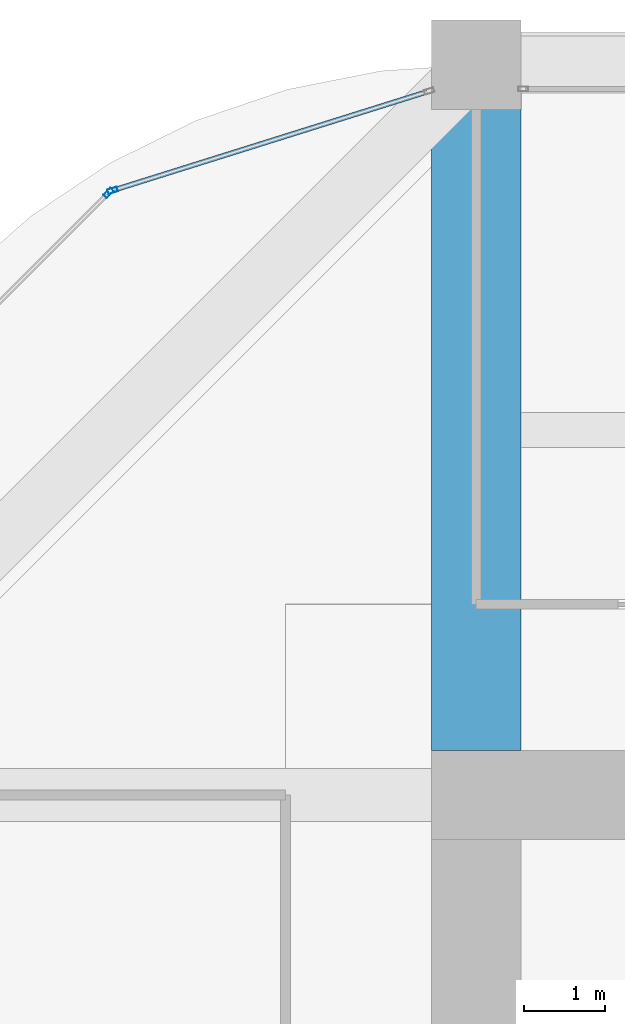
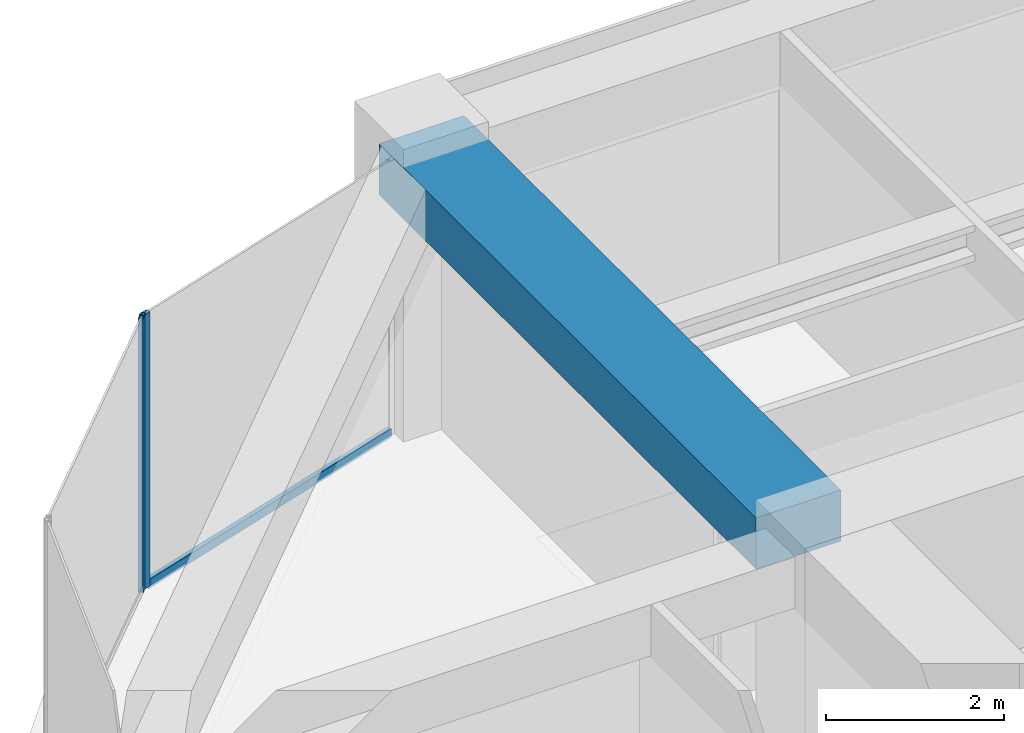
# One storey, part 30 of 44: 3 members, 1 beam, 2 elements without a shape of their own.
"""IFC4 building model written with IfcOpenShell, lengths in metres."""

from ifc_helpers import new_model, si_unit, direction, frame, origin, origin_2d, place, context, subcontext, project, spatial, rectangle, hollow_rectangle, extrude, material, material_profile, profile_set, type_object, element, aggregate, save


model = new_model("IFC4")

# Units and contexts
model_context = context("Model", 3, precision=1e-05, world=origin(), true_north=direction((0.0, 1.0)))
body_context = subcontext(model_context, "Body", "Model", "MODEL_VIEW")
ifc_project = project(units=[si_unit("LENGTHUNIT", "METRE"), si_unit("AREAUNIT", "SQUARE_METRE"), si_unit("VOLUMEUNIT", "CUBIC_METRE"), si_unit("PLANEANGLEUNIT", "RADIAN"), si_unit("MASSUNIT", "GRAM", prefix="KILO")], contexts=[model_context])

# Site, building, storey
site_placement = place(None, origin())
site = spatial("IfcSite", under=ifc_project, at=site_placement, CompositionType="ELEMENT")
building_placement = place(site_placement, origin())
building = spatial("IfcBuilding", under=site, at=building_placement, Name="Zorevar Civic Tower", CompositionType="ELEMENT")
storey_placement = place(building_placement, frame((0.0, 0.0, 283.39990234375)))
storey = spatial("IfcBuildingStorey", under=building, at=storey_placement, Name="L69", CompositionType="ELEMENT", Elevation=283.39990234375)

# Beam
ifc_material_1 = material(Name="Concrete C50/60", Category="concrete")
ifc_material_profile_1 = material_profile(ifc_material_1, rectangle(XDim=1.10009765625, YDim=0.699951171875, at=origin_2d()), Name="RC 1100x700")
ifc_profile_set_1 = profile_set([ifc_material_profile_1], Name="Concrete C50/60")
beam_type = type_object("IfcBeamType", Name="Beam RC 1100x700", PredefinedType="BEAM", material=ifc_profile_set_1)
beam_placement = place(storey_placement, frame((18.0, 36.550048828125, 3.400146484375), z_axis=(0.0, 1.0, 0.0), x_axis=(-1.0, 0.0, 0.0)))
element("IfcBeam", 1, at=beam_placement, inside=storey, type_object=beam_type, Name="Girder L70", PredefinedType="BEAM", context=body_context, shape_type="SweptSolid", body=[
    extrude(rectangle(XDim=1.10009765625, YDim=0.699951171875, at=origin_2d()), origin(), (0.0, 0.0, 1.0), 8.449951171875),
])

# Curtain wall, member
ifc_material_2 = material(Name="Dark grey solar-control glass in black aluminium frame", Category="aluminium")
curtain_wall_type = type_object("IfcCurtainWallType", Name="Curtain wall CW5 top zone", PredefinedType="NOTDEFINED", material=ifc_material_2)
curtain_wall_1_placement = place(storey_placement, origin())
curtain_wall_1 = element("IfcCurtainWall", 2, at=curtain_wall_1_placement, inside=storey, type_object=curtain_wall_type, Name="CW5 L69", PredefinedType="NOTDEFINED")
ifc_material_3 = material(Name="Aluminium, black anodised", Category="aluminium")
ifc_material_profile_2 = material_profile(ifc_material_3, hollow_rectangle(XDim=0.06005859375, YDim=0.1201171875, WallThickness=0.0029296875, at=origin_2d()), Name="AL 120x60x3")
ifc_profile_set_2 = profile_set([ifc_material_profile_2], Name="Aluminium, black anodised")
member_type_1 = type_object("IfcMemberType", Name="CW5 mullion AL 120x60x3", PredefinedType="MULLION", material=ifc_profile_set_2)
member_1_placement = place(storey_placement, frame((13.520751953125, 43.449951171875, 0.0), z_axis=(0.0, 0.0, 1.0), x_axis=(0.299317920238, -0.954153437674, 0.0)))
member_1 = element("IfcMember", 3, at=member_1_placement, type_object=member_type_1, Name="CW5 mullion 2", PredefinedType="MULLION", context=body_context, shape_type="SweptSolid", body=[
    extrude(hollow_rectangle(XDim=0.06005859375, YDim=0.1201171875, WallThickness=0.0029296875, at=origin_2d()), origin(), (0.0, 0.0, 1.0), 3.75),
])

curtain_wall_2_placement = place(storey_placement, origin())
curtain_wall_2 = element("IfcCurtainWall", 4, at=curtain_wall_2_placement, inside=storey, type_object=curtain_wall_type, Name="CW5 L69", PredefinedType="NOTDEFINED")
member_2_placement = place(storey_placement, frame((13.470947265625, 43.419677734375, 0.0), z_axis=(0.0, 0.0, 1.0), x_axis=(0.707106781187, -0.707106781187, 0.0)))
member_2 = element("IfcMember", 5, at=member_2_placement, type_object=member_type_1, Name="CW5 mullion 1", PredefinedType="MULLION", context=body_context, shape_type="SweptSolid", body=[
    extrude(hollow_rectangle(XDim=0.06005859375, YDim=0.1201171875, WallThickness=0.0029296875, at=origin_2d()), origin(), (0.0, 0.0, 1.0), 3.75),
])
aggregate(curtain_wall_2, [member_2])

# Member
ifc_material_4 = material(Name="Aluminium, black anodised", Category="aluminium")
ifc_material_profile_3 = material_profile(ifc_material_4, hollow_rectangle(XDim=0.06005859375, YDim=0.1201171875, WallThickness=0.0029296875, at=origin_2d()), Name="AL 120x60x3")
ifc_profile_set_3 = profile_set([ifc_material_profile_3], Name="Aluminium, black anodised")
member_type_2 = type_object("IfcMemberType", Name="CW5 transom AL 120x60x3", PredefinedType="USERDEFINED", material=ifc_profile_set_3)
member_3_placement = place(storey_placement, frame((17.392822265625, 44.66455078125, 0.030029296875), z_axis=(-0.954163457351, -0.299285978047, 0.0), x_axis=(0.299285978047, -0.954163457351, 0.0)))
member_3 = element("IfcMember", 6, at=member_3_placement, type_object=member_type_2, Name="CW5 sill transom", ObjectType="TRANSOM", PredefinedType="USERDEFINED", context=body_context, shape_type="SweptSolid", body=[
    extrude(hollow_rectangle(XDim=0.06005859375, YDim=0.1201171875, WallThickness=0.0029296875, at=origin_2d()), origin(), (0.0, 0.0, 1.0), 4.028076171875),
])

aggregate(curtain_wall_1, [member_1, member_3])

save(model, "model.ifc")
